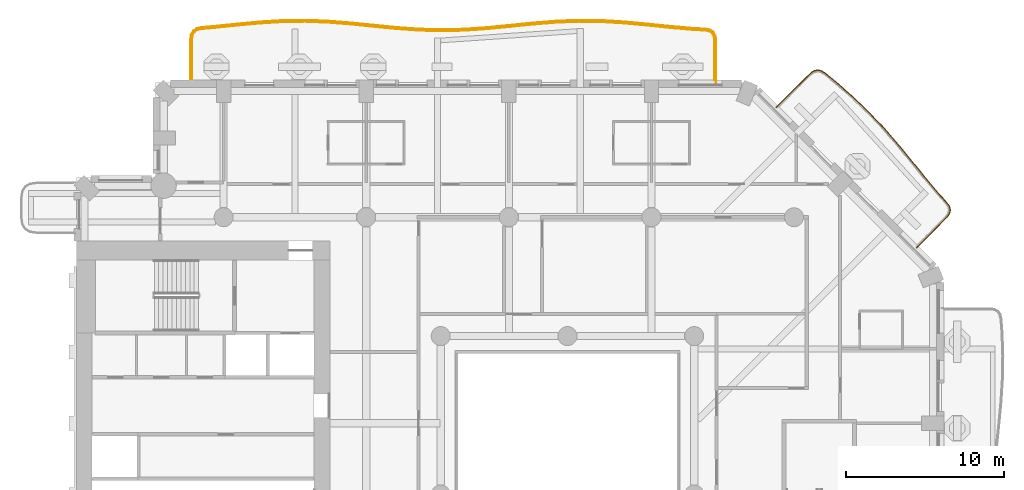
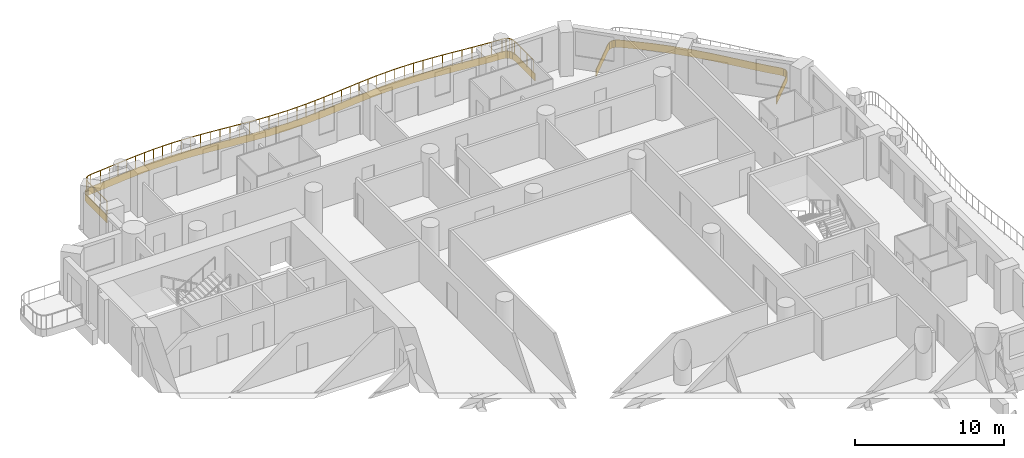
# One storey, part 17 of 19: 2 coverings, 1 railing.
"""IFC4 building model written with IfcOpenShell, lengths in metres."""

from ifc_helpers import new_model, si_unit, direction, frame, origin, origin_2d, place, context, subcontext, project, spatial, polyline, rectangle, outline, extrude, material, layer, layer_set, type_object, element, save


model = new_model("IFC4")

# Units and contexts
model_context = context("Model", 3, precision=1e-05, world=origin(), true_north=direction((0.0, 1.0)))
body_context = subcontext(model_context, "Body", "Model", "MODEL_VIEW")
ifc_project = project(units=[si_unit("LENGTHUNIT", "METRE"), si_unit("AREAUNIT", "SQUARE_METRE"), si_unit("VOLUMEUNIT", "CUBIC_METRE"), si_unit("PLANEANGLEUNIT", "RADIAN"), si_unit("MASSUNIT", "GRAM", prefix="KILO")], contexts=[model_context])

# Site, building, storey
site_placement = place(None, origin())
site = spatial("IfcSite", under=ifc_project, at=site_placement, CompositionType="ELEMENT")
building_placement = place(site_placement, origin())
building = spatial("IfcBuilding", under=site, at=building_placement, Name="Cypress Arch Tower", CompositionType="ELEMENT")
storey_placement = place(building_placement, frame((0.0, 0.0, 66.300048828125)))
storey = spatial("IfcBuildingStorey", under=building, at=storey_placement, Name="L10", CompositionType="ELEMENT", Elevation=66.300048828125)

# Coverings
ifc_material_1 = material(Name="White powder-coated aluminium fascia", Category="aluminium")
ifc_layer = layer(ifc_material_1, 0.050048828125)
ifc_layer_set = layer_set([ifc_layer], Name="Balcony fascia BF50")
covering_type = type_object("IfcCoveringType", Name="Balcony fascia BF50", PredefinedType="CLADDING", material=ifc_layer_set)
covering_1_placement = place(storey_placement, frame((0.0, 0.0, -0.60009765625)))
element("IfcCovering", 1, at=covering_1_placement, inside=storey, type_object=covering_type, Name="Balcony fascia L10-A07", PredefinedType="CLADDING", context=body_context, shape_type="SweptSolid", body=[
    extrude(outline(polyline([(16.28125, 26.570068359375), (16.515869140625, 26.746826171875), (16.764892578125, 26.816162109375), (17.019775390625, 26.771484375), (17.270263671875, 26.618408203125), (17.864990234375, 26.12939453125), (18.915283203125, 25.217529296875), (19.92333984375, 24.2626953125), (20.882568359375, 23.25927734375), (21.7978515625, 22.21240234375), (22.68408203125, 21.1376953125), (23.5625, 20.056884765625), (24.45654296875, 18.993408203125), (24.97021484375, 18.425537109375), (25.13330078125, 18.184326171875), (25.18603515625, 17.935791015625), (25.12109375, 17.68994140625), (24.946044921875, 17.457275390625), (23.045166015625, 15.556396484375), (23.009765625, 15.591796875), (24.908203125, 17.490234375), (25.0751953125, 17.71240234375), (25.134521484375, 17.93701171875), (25.08642578125, 18.16455078125), (24.930908203125, 18.39453125), (24.4189453125, 18.96044921875), (23.52392578125, 20.025146484375), (22.645263671875, 21.10595703125), (21.759765625, 22.179931640625), (20.845703125, 23.225341796875), (19.887939453125, 24.227294921875), (18.881591796875, 25.1806640625), (17.832763671875, 26.09130859375), (17.2412109375, 26.577392578125), (17.001708984375, 26.723876953125), (16.767578125, 26.76513671875), (16.538330078125, 26.701171875), (16.314208984375, 26.5322265625), (14.191650390625, 24.40966796875), (14.15625, 24.445068359375), (16.28125, 26.570068359375)])), origin(), (0.0, 0.0, 1.0), 0.60009765625),
])
covering_2_placement = place(storey_placement, frame((0.0, 0.0, -0.60009765625)))
element("IfcCovering", 2, at=covering_2_placement, inside=storey, type_object=covering_type, Name="Balcony fascia L10-A08", PredefinedType="CLADDING", context=body_context, shape_type="SweptSolid", body=[
    extrude(outline(polyline([(-22.800048828125, 28.734130859375), (-22.7578125, 29.034912109375), (-22.6259765625, 29.266845703125), (-22.40625, 29.41845703125), (-22.110107421875, 29.486572265625), (-21.315673828125, 29.555908203125), (-19.876708984375, 29.704833984375), (-18.4365234375, 29.840087890625), (-16.995361328125, 29.928466796875), (-15.5537109375, 29.94775390625), (-14.1123046875, 29.8935546875), (-12.671630859375, 29.779052734375), (-11.23193359375, 29.632568359375), (-9.793701171875, 29.49072265625), (-8.356201171875, 29.387939453125), (-6.91943359375, 29.35009765625), (-5.48291015625, 29.385986328125), (-4.04541015625, 29.4873046875), (-2.607177734375, 29.628662109375), (-1.16748046875, 29.775390625), (0.273193359375, 29.89111328125), (1.714599609375, 29.947265625), (3.15625, 29.929931640625), (4.597412109375, 29.84326171875), (6.03759765625, 29.708740234375), (7.4765625, 29.559814453125), (8.914306640625, 29.433349609375), (9.70849609375, 29.392822265625), (10.0048828125, 29.33544921875), (10.225341796875, 29.191650390625), (10.357666015625, 28.964111328125), (10.39990234375, 28.665283203125), (10.39990234375, 26.0009765625), (10.35009765625, 26.0009765625), (10.35009765625, 28.661865234375), (10.3095703125, 28.947509765625), (10.18798828125, 29.15625), (9.98583984375, 29.288330078125), (9.702392578125, 29.34326171875), (8.910888671875, 29.38330078125), (7.4716796875, 29.510009765625), (6.03271484375, 29.658935546875), (4.593505859375, 29.79345703125), (3.154296875, 29.8798828125), (1.71533203125, 29.897216796875), (0.276123046875, 29.84130859375), (-1.1630859375, 29.7255859375), (-2.602294921875, 29.578857421875), (-4.041259765625, 29.437255859375), (-5.48046875, 29.336181640625), (-6.919677734375, 29.300048828125), (-8.358642578125, 29.338134765625), (-9.7978515625, 29.44091796875), (-11.237060546875, 29.5830078125), (-12.676025390625, 29.729248046875), (-14.115234375, 29.84375), (-15.554443359375, 29.897705078125), (-16.993408203125, 29.87841796875), (-18.4326171875, 29.790283203125), (-19.871826171875, 29.655029296875), (-21.310791015625, 29.506103515625), (-22.102294921875, 29.43701171875), (-22.3857421875, 29.371826171875), (-22.588134765625, 29.232177734375), (-22.70947265625, 29.0185546875), (-22.75, 28.73046875), (-22.75, 26.0009765625), (-22.800048828125, 26.0009765625), (-22.800048828125, 28.734130859375)])), origin(), (0.0, 0.0, 1.0), 0.60009765625),
])

# Railing
ifc_material_2 = material(Name="Powder-coated steel posts and rods, 100 mm clear between rods", Category="steel")
railing_type = type_object("IfcRailingType", Name="Balcony guard GR1100", PredefinedType="GUARDRAIL", material=ifc_material_2)
railing_placement = place(storey_placement, frame((-22.699951171875, 26.14990234375, 0.0)))
element("IfcRailing", 3, at=railing_placement, inside=storey, type_object=railing_type, Name="Balcony guard L10-A08", PredefinedType="GUARDRAIL", context=body_context, shape_type="SweptSolid", body=[
    extrude(rectangle(XDim=0.050048828125, YDim=0.050048828125, at=origin_2d()), frame((0.0, 0.0, 1.0751953125), z_axis=(0.0, 1.0, 0.0), x_axis=(-1.0, 0.0, 0.0)), (0.0, 0.0, 1.0), 2.5771484375),
    extrude(rectangle(XDim=0.050048828125, YDim=0.050048828125, at=origin_2d()), frame((0.0, 2.5771484375, 1.0751953125), z_axis=(0.138958365374, 0.990298224119, 0.0), x_axis=(-0.990298224119, 0.138958365374, 0.0)), (0.0, 0.0, 1.0), 0.277587890625),
    extrude(rectangle(XDim=0.050048828125, YDim=0.050048828125, at=origin_2d()), frame((0.03857421875, 2.85205078125, 1.0751953125), z_axis=(0.493916153459, 0.86950953609, 0.0), x_axis=(-0.86950953609, 0.493916153459, 0.0)), (0.0, 0.0, 1.0), 0.224853515625),
    extrude(rectangle(XDim=0.050048828125, YDim=0.050048828125, at=origin_2d()), frame((0.149658203125, 3.047607421875, 1.0751953125), z_axis=(0.823090267196, 0.567910566944, 0.0), x_axis=(-0.567910566944, 0.823090267196, 0.0)), (0.0, 0.0, 1.0), 0.224853515625),
    extrude(rectangle(XDim=0.050048828125, YDim=0.050048828125, at=origin_2d()), frame((0.334716796875, 3.17529296875, 1.0751953125), z_axis=(0.97437638558, 0.224923674219, 0.0), x_axis=(-0.224923674219, 0.97437638558, 0.0)), (0.0, 0.0, 1.0), 0.27783203125),
    extrude(rectangle(XDim=0.050048828125, YDim=0.050048828125, at=origin_2d()), frame((0.60546875, 3.23779296875, 1.0751953125), z_axis=(0.996208103692, 0.087002380069, 0.0), x_axis=(-0.087002380069, 0.996208103692, 0.0)), (0.0, 0.0, 1.0), 0.791259765625),
    extrude(rectangle(XDim=0.050048828125, YDim=0.050048828125, at=origin_2d()), frame((1.393798828125, 3.306640625, 1.0751953125), z_axis=(0.994706077268, 0.102760984064, 0.0), x_axis=(-0.102760984064, 0.994706077268, 0.0)), (0.0, 0.0, 1.0), 1.44677734375),
    extrude(rectangle(XDim=0.050048828125, YDim=0.050048828125, at=origin_2d()), frame((2.8330078125, 3.455322265625, 1.0751953125), z_axis=(0.995622929799, 0.093461123778, 0.0), x_axis=(-0.093461123778, 0.995622929799, 0.0)), (0.0, 0.0, 1.0), 1.444580078125),
    extrude(rectangle(XDim=0.050048828125, YDim=0.050048828125, at=origin_2d()), frame((4.271240234375, 3.59033203125, 1.0751953125), z_axis=(0.998124484038, 0.061216945079, 0.0), x_axis=(-0.061216945079, 0.998124484038, 0.0)), (0.0, 0.0, 1.0), 1.439697265625),
    extrude(rectangle(XDim=0.050048828125, YDim=0.050048828125, at=origin_2d()), frame((5.708251953125, 3.678466796875, 1.0751953125), z_axis=(0.99990761598, 0.013592626895, 0.0), x_axis=(-0.013592626895, 0.99990761598, 0.0)), (0.0, 0.0, 1.0), 1.43701171875),
    extrude(rectangle(XDim=0.050048828125, YDim=0.050048828125, at=origin_2d()), frame((7.14501953125, 3.697998046875, 1.0751953125), z_axis=(0.999289245183, -0.037696212817, 0.0), x_axis=(0.037696212817, 0.999289245183, 0.0)), (0.0, 0.0, 1.0), 1.437744140625),
    extrude(rectangle(XDim=0.050048828125, YDim=0.050048828125, at=origin_2d()), frame((8.581787109375, 3.643798828125, 1.0751953125), z_axis=(0.996856059998, -0.079233803682, 0.0), x_axis=(0.079233803682, 0.996856059998, 0.0)), (0.0, 0.0, 1.0), 1.442138671875),
    extrude(rectangle(XDim=0.050048828125, YDim=0.050048828125, at=origin_2d()), frame((10.019287109375, 3.529541015625, 1.0751953125), z_axis=(0.994873732328, -0.101124955993, 0.0), x_axis=(0.101124955993, 0.994873732328, 0.0)), (0.0, 0.0, 1.0), 1.446044921875),
    extrude(rectangle(XDim=0.050048828125, YDim=0.050048828125, at=origin_2d()), frame((11.4580078125, 3.38330078125, 1.0751953125), z_axis=(0.99516664295, -0.098200574126, 0.0), x_axis=(0.098200574126, 0.99516664295, 0.0)), (0.0, 0.0, 1.0), 1.447021484375),
    extrude(rectangle(XDim=0.050048828125, YDim=0.050048828125, at=origin_2d()), frame((12.89794921875, 3.2412109375, 1.0751953125), z_axis=(0.997453549939, -0.071319111839, 0.0), x_axis=(0.071319111839, 0.997453549939, 0.0)), (0.0, 0.0, 1.0), 1.444580078125),
    extrude(rectangle(XDim=0.050048828125, YDim=0.050048828125, at=origin_2d()), frame((14.3388671875, 3.13818359375, 1.0751953125), z_axis=(0.999651101446, -0.026413545363, 0.0), x_axis=(0.026413545363, 0.999651101446, 0.0)), (0.0, 0.0, 1.0), 1.44189453125),
    extrude(rectangle(XDim=0.050048828125, YDim=0.050048828125, at=origin_2d()), frame((15.7802734375, 3.10009765625, 1.0751953125), z_axis=(0.999686058247, 0.025055637023, 0.0), x_axis=(-0.025055637023, 0.999686058247, 0.0)), (0.0, 0.0, 1.0), 1.442138671875),
    extrude(rectangle(XDim=0.050048828125, YDim=0.050048828125, at=origin_2d()), frame((17.221923828125, 3.13623046875, 1.0751953125), z_axis=(0.997537019407, 0.070141962564, 0.0), x_axis=(-0.070141962564, 0.997537019407, 0.0)), (0.0, 0.0, 1.0), 1.444580078125),
    extrude(rectangle(XDim=0.050048828125, YDim=0.050048828125, at=origin_2d()), frame((18.662841796875, 3.237548828125, 1.0751953125), z_axis=(0.995199566418, 0.097866352751, 0.0), x_axis=(-0.097866352751, 0.995199566418, 0.0)), (0.0, 0.0, 1.0), 1.44677734375),
    extrude(rectangle(XDim=0.050048828125, YDim=0.050048828125, at=origin_2d()), frame((20.102783203125, 3.379150390625, 1.0751953125), z_axis=(0.994839707967, 0.101459131934, 0.0), x_axis=(-0.101459131934, 0.994839707967, 0.0)), (0.0, 0.0, 1.0), 1.4462890625),
    extrude(rectangle(XDim=0.050048828125, YDim=0.050048828125, at=origin_2d()), frame((21.54150390625, 3.52587890625, 1.0751953125), z_axis=(0.996788847898, 0.080074919337, 0.0), x_axis=(-0.080074919337, 0.996788847898, 0.0)), (0.0, 0.0, 1.0), 1.442138671875),
    extrude(rectangle(XDim=0.050048828125, YDim=0.050048828125, at=origin_2d()), frame((22.97900390625, 3.641357421875, 1.0751953125), z_axis=(0.999243767782, 0.038883062502, 0.0), x_axis=(-0.038883062502, 0.999243767782, 0.0)), (0.0, 0.0, 1.0), 1.437744140625),
    extrude(rectangle(XDim=0.050048828125, YDim=0.050048828125, at=origin_2d()), frame((24.415771484375, 3.697265625, 1.0751953125), z_axis=(0.999927231008, -0.012063693016, 0.0), x_axis=(0.012063693016, 0.999927231008, 0.0)), (0.0, 0.0, 1.0), 1.436767578125),
    extrude(rectangle(XDim=0.050048828125, YDim=0.050048828125, at=origin_2d()), frame((25.8525390625, 3.679931640625, 1.0751953125), z_axis=(0.998196318787, -0.06003423324, 0.0), x_axis=(0.06003423324, 0.998196318787, 0.0)), (0.0, 0.0, 1.0), 1.439697265625),
    extrude(rectangle(XDim=0.050048828125, YDim=0.050048828125, at=origin_2d()), frame((27.28955078125, 3.593505859375, 1.0751953125), z_axis=(0.995685614164, -0.092790935694, 0.0), x_axis=(0.092790935694, 0.995685614164, 0.0)), (0.0, 0.0, 1.0), 1.444580078125),
    extrude(rectangle(XDim=0.050048828125, YDim=0.050048828125, at=origin_2d()), frame((28.727783203125, 3.45947265625, 1.0751953125), z_axis=(0.994688815746, -0.102927935132, 0.0), x_axis=(0.102927935132, 0.994688815746, 0.0)), (0.0, 0.0, 1.0), 1.44677734375),
    extrude(rectangle(XDim=0.050048828125, YDim=0.050048828125, at=origin_2d()), frame((30.1669921875, 3.310546875, 1.0751953125), z_axis=(0.996138540621, -0.087795261207, 0.0), x_axis=(0.087795261207, 0.996138540621, 0.0)), (0.0, 0.0, 1.0), 1.446044921875),
    extrude(rectangle(XDim=0.050048828125, YDim=0.050048828125, at=origin_2d()), frame((31.607421875, 3.18359375, 1.0751953125), z_axis=(0.99871428241, -0.050693018358, 0.0), x_axis=(0.050693018358, 0.99871428241, 0.0)), (0.0, 0.0, 1.0), 0.789794921875),
    extrude(rectangle(XDim=0.050048828125, YDim=0.050048828125, at=origin_2d()), frame((32.396240234375, 3.1435546875, 1.0751953125), z_axis=(0.98165690297, -0.190656038066, 0.0), x_axis=(0.190656038066, 0.98165690297, 0.0)), (0.0, 0.0, 1.0), 0.275390625),
    extrude(rectangle(XDim=0.050048828125, YDim=0.050048828125, at=origin_2d()), frame((32.66650390625, 3.091064453125, 1.0751953125), z_axis=(0.837809224391, -0.545963097219, 0.0), x_axis=(0.545963097219, 0.837809224391, 0.0)), (0.0, 0.0, 1.0), 0.219970703125),
    extrude(rectangle(XDim=0.050048828125, YDim=0.050048828125, at=origin_2d()), frame((32.850830078125, 2.970947265625, 1.0751953125), z_axis=(0.503180228322, -0.864181495882, 0.0), x_axis=(0.864181495882, 0.503180228322, 0.0)), (0.0, 0.0, 1.0), 0.2197265625),
    extrude(rectangle(XDim=0.050048828125, YDim=0.050048828125, at=origin_2d()), frame((32.96142578125, 2.781005859375, 1.0751953125), z_axis=(0.140056117845, -0.990143567294, 0.0), x_axis=(0.990143567294, 0.140056117845, 0.0)), (0.0, 0.0, 1.0), 0.275390625),
    extrude(rectangle(XDim=0.050048828125, YDim=0.050048828125, at=origin_2d()), frame((33.0, 2.50830078125, 1.0751953125), z_axis=(0.0, -1.0, 0.0), x_axis=(1.0, 0.0, 0.0)), (0.0, 0.0, 1.0), 2.50830078125),
    extrude(rectangle(XDim=0.0400390625, YDim=0.0400390625, at=origin_2d()), origin(), (0.0, 0.0, 1.0), 1.050048828125),
    extrude(rectangle(XDim=0.0400390625, YDim=0.0400390625, at=origin_2d()), frame((0.0, 0.859130859375, 0.0)), (0.0, 0.0, 1.0), 1.050048828125),
    extrude(rectangle(XDim=0.0400390625, YDim=0.0400390625, at=origin_2d()), frame((0.0, 1.718017578125, 0.0)), (0.0, 0.0, 1.0), 1.050048828125),
    extrude(rectangle(XDim=0.0400390625, YDim=0.0400390625, at=origin_2d()), frame((0.0, 2.5771484375, 0.0)), (0.0, 0.0, 1.0), 1.050048828125),
    extrude(rectangle(XDim=0.0400390625, YDim=0.0400390625, at=origin_2d()), frame((0.03857421875, 2.85205078125, 0.0)), (0.0, 0.0, 1.0), 1.050048828125),
    extrude(rectangle(XDim=0.0400390625, YDim=0.0400390625, at=origin_2d()), frame((0.149658203125, 3.047607421875, 0.0)), (0.0, 0.0, 1.0), 1.050048828125),
    extrude(rectangle(XDim=0.0400390625, YDim=0.0400390625, at=origin_2d()), frame((0.334716796875, 3.17529296875, 0.0)), (0.0, 0.0, 1.0), 1.050048828125),
    extrude(rectangle(XDim=0.0400390625, YDim=0.0400390625, at=origin_2d()), frame((0.60546875, 3.23779296875, 0.0)), (0.0, 0.0, 1.0), 1.050048828125),
    extrude(rectangle(XDim=0.0400390625, YDim=0.0400390625, at=origin_2d()), frame((1.393798828125, 3.306640625, 0.0)), (0.0, 0.0, 1.0), 1.050048828125),
    extrude(rectangle(XDim=0.0400390625, YDim=0.0400390625, at=origin_2d()), frame((2.11328125, 3.380859375, 0.0)), (0.0, 0.0, 1.0), 1.050048828125),
    extrude(rectangle(XDim=0.0400390625, YDim=0.0400390625, at=origin_2d()), frame((2.8330078125, 3.455322265625, 0.0)), (0.0, 0.0, 1.0), 1.050048828125),
    extrude(rectangle(XDim=0.0400390625, YDim=0.0400390625, at=origin_2d()), frame((3.55224609375, 3.52294921875, 0.0)), (0.0, 0.0, 1.0), 1.050048828125),
    extrude(rectangle(XDim=0.0400390625, YDim=0.0400390625, at=origin_2d()), frame((4.271240234375, 3.59033203125, 0.0)), (0.0, 0.0, 1.0), 1.050048828125),
    extrude(rectangle(XDim=0.0400390625, YDim=0.0400390625, at=origin_2d()), frame((4.98974609375, 3.63427734375, 0.0)), (0.0, 0.0, 1.0), 1.050048828125),
    extrude(rectangle(XDim=0.0400390625, YDim=0.0400390625, at=origin_2d()), frame((5.708251953125, 3.678466796875, 0.0)), (0.0, 0.0, 1.0), 1.050048828125),
    extrude(rectangle(XDim=0.0400390625, YDim=0.0400390625, at=origin_2d()), frame((6.4267578125, 3.688232421875, 0.0)), (0.0, 0.0, 1.0), 1.050048828125),
    extrude(rectangle(XDim=0.0400390625, YDim=0.0400390625, at=origin_2d()), frame((7.14501953125, 3.697998046875, 0.0)), (0.0, 0.0, 1.0), 1.050048828125),
    extrude(rectangle(XDim=0.0400390625, YDim=0.0400390625, at=origin_2d()), frame((7.86328125, 3.6708984375, 0.0)), (0.0, 0.0, 1.0), 1.050048828125),
    extrude(rectangle(XDim=0.0400390625, YDim=0.0400390625, at=origin_2d()), frame((8.581787109375, 3.643798828125, 0.0)), (0.0, 0.0, 1.0), 1.050048828125),
    extrude(rectangle(XDim=0.0400390625, YDim=0.0400390625, at=origin_2d()), frame((9.300537109375, 3.586669921875, 0.0)), (0.0, 0.0, 1.0), 1.050048828125),
    extrude(rectangle(XDim=0.0400390625, YDim=0.0400390625, at=origin_2d()), frame((10.019287109375, 3.529541015625, 0.0)), (0.0, 0.0, 1.0), 1.050048828125),
    extrude(rectangle(XDim=0.0400390625, YDim=0.0400390625, at=origin_2d()), frame((10.73876953125, 3.45654296875, 0.0)), (0.0, 0.0, 1.0), 1.050048828125),
    extrude(rectangle(XDim=0.0400390625, YDim=0.0400390625, at=origin_2d()), frame((11.4580078125, 3.38330078125, 0.0)), (0.0, 0.0, 1.0), 1.050048828125),
    extrude(rectangle(XDim=0.0400390625, YDim=0.0400390625, at=origin_2d()), frame((12.177978515625, 3.312255859375, 0.0)), (0.0, 0.0, 1.0), 1.050048828125),
    extrude(rectangle(XDim=0.0400390625, YDim=0.0400390625, at=origin_2d()), frame((12.89794921875, 3.2412109375, 0.0)), (0.0, 0.0, 1.0), 1.050048828125),
    extrude(rectangle(XDim=0.0400390625, YDim=0.0400390625, at=origin_2d()), frame((13.618408203125, 3.189697265625, 0.0)), (0.0, 0.0, 1.0), 1.050048828125),
    extrude(rectangle(XDim=0.0400390625, YDim=0.0400390625, at=origin_2d()), frame((14.3388671875, 3.13818359375, 0.0)), (0.0, 0.0, 1.0), 1.050048828125),
    extrude(rectangle(XDim=0.0400390625, YDim=0.0400390625, at=origin_2d()), frame((15.0595703125, 3.119140625, 0.0)), (0.0, 0.0, 1.0), 1.050048828125),
    extrude(rectangle(XDim=0.0400390625, YDim=0.0400390625, at=origin_2d()), frame((15.7802734375, 3.10009765625, 0.0)), (0.0, 0.0, 1.0), 1.050048828125),
    extrude(rectangle(XDim=0.0400390625, YDim=0.0400390625, at=origin_2d()), frame((16.5009765625, 3.1181640625, 0.0)), (0.0, 0.0, 1.0), 1.050048828125),
    extrude(rectangle(XDim=0.0400390625, YDim=0.0400390625, at=origin_2d()), frame((17.221923828125, 3.13623046875, 0.0)), (0.0, 0.0, 1.0), 1.050048828125),
    extrude(rectangle(XDim=0.0400390625, YDim=0.0400390625, at=origin_2d()), frame((17.9423828125, 3.18701171875, 0.0)), (0.0, 0.0, 1.0), 1.050048828125),
    extrude(rectangle(XDim=0.0400390625, YDim=0.0400390625, at=origin_2d()), frame((18.662841796875, 3.237548828125, 0.0)), (0.0, 0.0, 1.0), 1.050048828125),
    extrude(rectangle(XDim=0.0400390625, YDim=0.0400390625, at=origin_2d()), frame((19.3828125, 3.308349609375, 0.0)), (0.0, 0.0, 1.0), 1.050048828125),
    extrude(rectangle(XDim=0.0400390625, YDim=0.0400390625, at=origin_2d()), frame((20.102783203125, 3.379150390625, 0.0)), (0.0, 0.0, 1.0), 1.050048828125),
    extrude(rectangle(XDim=0.0400390625, YDim=0.0400390625, at=origin_2d()), frame((20.822265625, 3.45263671875, 0.0)), (0.0, 0.0, 1.0), 1.050048828125),
    extrude(rectangle(XDim=0.0400390625, YDim=0.0400390625, at=origin_2d()), frame((21.54150390625, 3.52587890625, 0.0)), (0.0, 0.0, 1.0), 1.050048828125),
    extrude(rectangle(XDim=0.0400390625, YDim=0.0400390625, at=origin_2d()), frame((22.26025390625, 3.58349609375, 0.0)), (0.0, 0.0, 1.0), 1.050048828125),
    extrude(rectangle(XDim=0.0400390625, YDim=0.0400390625, at=origin_2d()), frame((22.97900390625, 3.641357421875, 0.0)), (0.0, 0.0, 1.0), 1.050048828125),
    extrude(rectangle(XDim=0.0400390625, YDim=0.0400390625, at=origin_2d()), frame((23.697265625, 3.66943359375, 0.0)), (0.0, 0.0, 1.0), 1.050048828125),
    extrude(rectangle(XDim=0.0400390625, YDim=0.0400390625, at=origin_2d()), frame((24.415771484375, 3.697265625, 0.0)), (0.0, 0.0, 1.0), 1.050048828125),
    extrude(rectangle(XDim=0.0400390625, YDim=0.0400390625, at=origin_2d()), frame((25.13427734375, 3.6884765625, 0.0)), (0.0, 0.0, 1.0), 1.050048828125),
    extrude(rectangle(XDim=0.0400390625, YDim=0.0400390625, at=origin_2d()), frame((25.8525390625, 3.679931640625, 0.0)), (0.0, 0.0, 1.0), 1.050048828125),
    extrude(rectangle(XDim=0.0400390625, YDim=0.0400390625, at=origin_2d()), frame((26.571044921875, 3.63671875, 0.0)), (0.0, 0.0, 1.0), 1.050048828125),
    extrude(rectangle(XDim=0.0400390625, YDim=0.0400390625, at=origin_2d()), frame((27.28955078125, 3.593505859375, 0.0)), (0.0, 0.0, 1.0), 1.050048828125),
    extrude(rectangle(XDim=0.0400390625, YDim=0.0400390625, at=origin_2d()), frame((28.0087890625, 3.5263671875, 0.0)), (0.0, 0.0, 1.0), 1.050048828125),
    extrude(rectangle(XDim=0.0400390625, YDim=0.0400390625, at=origin_2d()), frame((28.727783203125, 3.45947265625, 0.0)), (0.0, 0.0, 1.0), 1.050048828125),
    extrude(rectangle(XDim=0.0400390625, YDim=0.0400390625, at=origin_2d()), frame((29.447265625, 3.385009765625, 0.0)), (0.0, 0.0, 1.0), 1.050048828125),
    extrude(rectangle(XDim=0.0400390625, YDim=0.0400390625, at=origin_2d()), frame((30.1669921875, 3.310546875, 0.0)), (0.0, 0.0, 1.0), 1.050048828125),
    extrude(rectangle(XDim=0.0400390625, YDim=0.0400390625, at=origin_2d()), frame((30.88720703125, 3.2470703125, 0.0)), (0.0, 0.0, 1.0), 1.050048828125),
    extrude(rectangle(XDim=0.0400390625, YDim=0.0400390625, at=origin_2d()), frame((31.607421875, 3.18359375, 0.0)), (0.0, 0.0, 1.0), 1.050048828125),
    extrude(rectangle(XDim=0.0400390625, YDim=0.0400390625, at=origin_2d()), frame((32.396240234375, 3.1435546875, 0.0)), (0.0, 0.0, 1.0), 1.050048828125),
    extrude(rectangle(XDim=0.0400390625, YDim=0.0400390625, at=origin_2d()), frame((32.66650390625, 3.091064453125, 0.0)), (0.0, 0.0, 1.0), 1.050048828125),
    extrude(rectangle(XDim=0.0400390625, YDim=0.0400390625, at=origin_2d()), frame((32.850830078125, 2.970947265625, 0.0)), (0.0, 0.0, 1.0), 1.050048828125),
    extrude(rectangle(XDim=0.0400390625, YDim=0.0400390625, at=origin_2d()), frame((32.96142578125, 2.781005859375, 0.0)), (0.0, 0.0, 1.0), 1.050048828125),
    extrude(rectangle(XDim=0.0400390625, YDim=0.0400390625, at=origin_2d()), frame((33.0, 2.50830078125, 0.0)), (0.0, 0.0, 1.0), 1.050048828125),
    extrude(rectangle(XDim=0.0400390625, YDim=0.0400390625, at=origin_2d()), frame((33.0, 1.672119140625, 0.0)), (0.0, 0.0, 1.0), 1.050048828125),
    extrude(rectangle(XDim=0.0400390625, YDim=0.0400390625, at=origin_2d()), frame((33.0, 0.836181640625, 0.0)), (0.0, 0.0, 1.0), 1.050048828125),
    extrude(rectangle(XDim=0.0400390625, YDim=0.0400390625, at=origin_2d()), frame((33.0, 0.0, 0.0)), (0.0, 0.0, 1.0), 1.050048828125),
])

save(model, "model.ifc")
